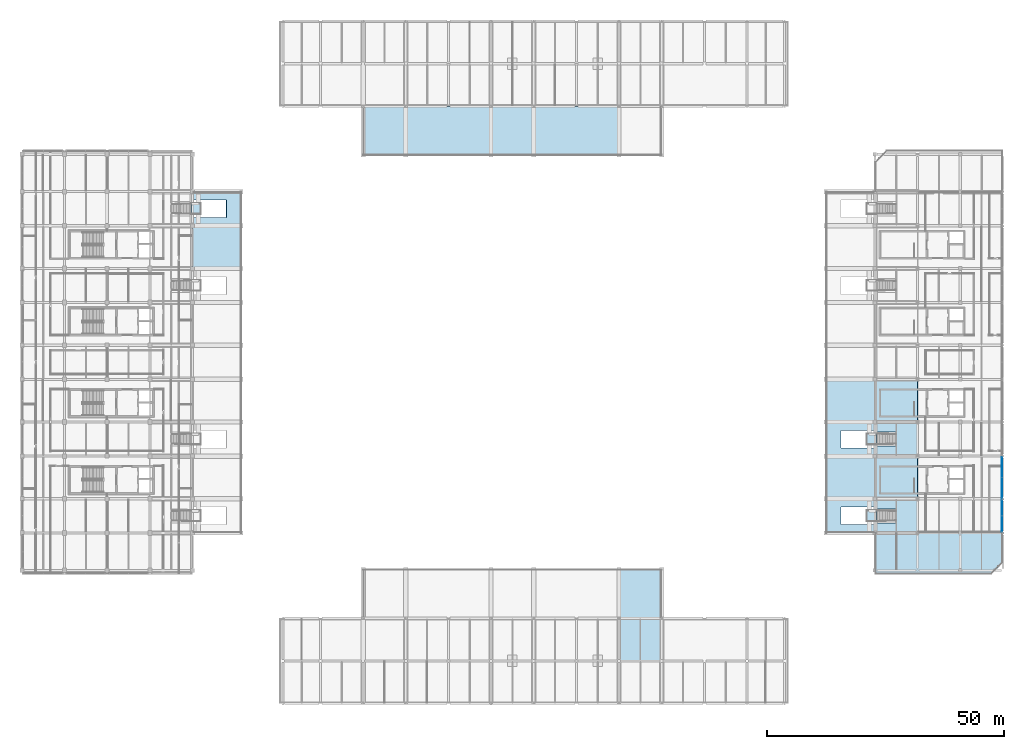
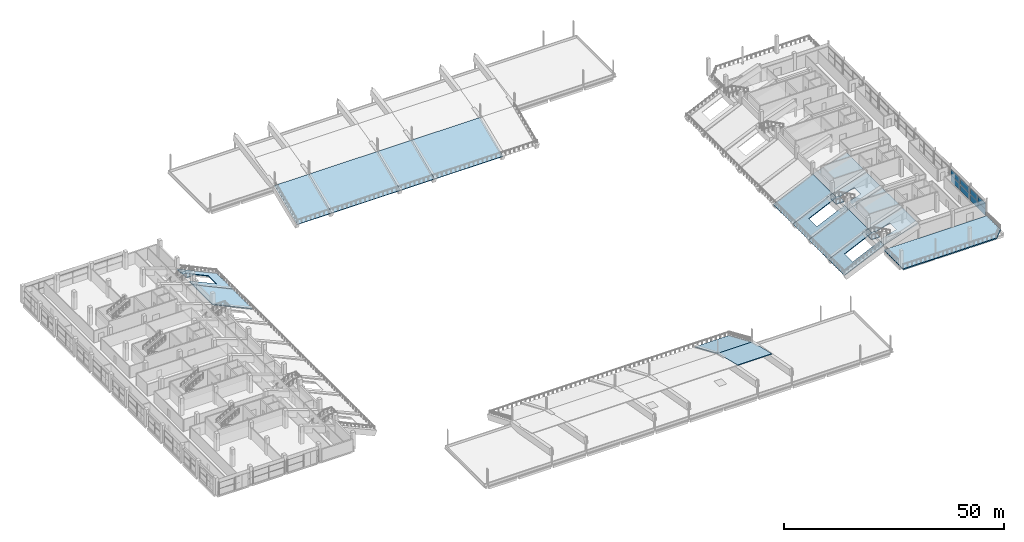
# One storey, part 43 of 66: 20 slabs, 8 plates, 2 elements without a shape of their own.
"""IFC4 building model written with IfcOpenShell, lengths in metres."""

from ifc_helpers import new_model, si_unit, direction, frame, origin, origin_2d, place, context, subcontext, project, spatial, polyline, rectangle, outline, extrude, material, layer, layer_set, type_object, element, aggregate, save


model = new_model("IFC4")

# Units and contexts
model_context = context("Model", 3, precision=1e-05, world=origin(), true_north=direction((0.0, 1.0)))
body_context = subcontext(model_context, "Body", "Model", "MODEL_VIEW")
ifc_project = project(units=[si_unit("LENGTHUNIT", "METRE"), si_unit("AREAUNIT", "SQUARE_METRE"), si_unit("VOLUMEUNIT", "CUBIC_METRE"), si_unit("PLANEANGLEUNIT", "RADIAN"), si_unit("MASSUNIT", "GRAM", prefix="KILO"), si_unit("THERMODYNAMICTEMPERATUREUNIT", "KELVIN"), si_unit("POWERUNIT", "WATT")], contexts=[model_context])

# Site, building, storey
site_placement = place(None, origin())
site = spatial("IfcSite", under=ifc_project, at=site_placement, CompositionType="ELEMENT")
building_placement = place(site_placement, origin())
building = spatial("IfcBuilding", under=site, at=building_placement, Name="Sindhuravela Promenade Stadium", CompositionType="ELEMENT")
storey_placement = place(building_placement, frame((0.0, 0.0, 19.199951171875)))
storey = spatial("IfcBuildingStorey", under=building, at=storey_placement, Name="L04", CompositionType="ELEMENT", Elevation=19.199951171875)

# Curtain wall, plates
ifc_material_1 = material(Name="Anodised architectural aluminium 6063-T6", Category="aluminium")
curtain_wall_type_1 = type_object("IfcCurtainWallType", Name="CW-MOD-1", PredefinedType="NOTDEFINED", material=ifc_material_1)
curtain_wall_1_placement = place(storey_placement, origin())
curtain_wall_1 = element("IfcCurtainWall", 1, at=curtain_wall_1_placement, inside=storey, type_object=curtain_wall_type_1, Name="Bronze curtain wall CW-EAST-L04-136", PredefinedType="NOTDEFINED")
ifc_material_2 = material(Name="Tempered laminated low-E glass", Category="glass")
ifc_layer_1 = layer(ifc_material_2, 0.028076171875)
ifc_layer_set_1 = layer_set([ifc_layer_1], Name="Tempered laminated low-E glass")
plate_type_1 = type_object("IfcPlateType", Name="CW-PNL-01", PredefinedType="CURTAIN_PANEL", material=ifc_layer_set_1)
plate_1_placement = place(storey_placement, frame((206.800048828125, 58.85009765625, 0.01513671875), z_axis=(0.0, 0.0, 1.0), x_axis=(0.0, -1.0, 0.0)))
plate_1 = element("IfcPlate", 2, at=plate_1_placement, type_object=plate_type_1, Name="Glazed curtain panel CW-EAST-L04-136-P1.1", PredefinedType="CURTAIN_PANEL", context=body_context, shape_type="SweptSolid", body=[
    extrude(rectangle(XDim=4.239990234375, YDim=0.028076171875, at=origin_2d()), origin(), (0.0, 0.0, 1.0), 1.760009765625),
])
plate_2_placement = place(storey_placement, frame((206.800048828125, 58.85009765625, 1.80517578125), z_axis=(0.0, 0.0, 1.0), x_axis=(0.0, -1.0, 0.0)))
plate_2 = element("IfcPlate", 3, at=plate_2_placement, type_object=plate_type_1, Name="Glazed curtain panel CW-EAST-L04-136-P1.2", PredefinedType="CURTAIN_PANEL", context=body_context, shape_type="SweptSolid", body=[
    extrude(rectangle(XDim=4.239990234375, YDim=0.028076171875, at=origin_2d()), origin(), (0.0, 0.0, 1.0), 1.679931640625),
])
plate_3_placement = place(storey_placement, frame((206.800048828125, 54.550048828125, 0.01513671875), z_axis=(0.0, 0.0, 1.0), x_axis=(0.0, -1.0, 0.0)))
plate_3 = element("IfcPlate", 4, at=plate_3_placement, type_object=plate_type_1, Name="Glazed curtain panel CW-EAST-L04-136-P2.1", PredefinedType="CURTAIN_PANEL", context=body_context, shape_type="SweptSolid", body=[
    extrude(rectangle(XDim=4.239990234375, YDim=0.028076171875, at=origin_2d()), origin(), (0.0, 0.0, 1.0), 1.760009765625),
])
plate_4_placement = place(storey_placement, frame((206.800048828125, 54.550048828125, 1.80517578125), z_axis=(0.0, 0.0, 1.0), x_axis=(0.0, -1.0, 0.0)))
plate_4 = element("IfcPlate", 5, at=plate_4_placement, type_object=plate_type_1, Name="Glazed curtain panel CW-EAST-L04-136-P2.2", PredefinedType="CURTAIN_PANEL", context=body_context, shape_type="SweptSolid", body=[
    extrude(rectangle(XDim=4.239990234375, YDim=0.028076171875, at=origin_2d()), origin(), (0.0, 0.0, 1.0), 1.679931640625),
])
aggregate(curtain_wall_1, [plate_1, plate_2, plate_3, plate_4])

curtain_wall_type_2 = type_object("IfcCurtainWallType", Name="CW-MOD-2", PredefinedType="NOTDEFINED", material=ifc_material_1)
curtain_wall_2_placement = place(storey_placement, origin())
curtain_wall_2 = element("IfcCurtainWall", 6, at=curtain_wall_2_placement, inside=storey, type_object=curtain_wall_type_2, Name="Bronze curtain wall CW-EAST-L04-137", PredefinedType="NOTDEFINED")
ifc_layer_2 = layer(ifc_material_2, 0.0400390625)
ifc_layer_set_2 = layer_set([ifc_layer_2], Name="Tempered laminated low-E glass")
plate_type_2 = type_object("IfcPlateType", Name="CW-PNL-02", PredefinedType="CURTAIN_PANEL", material=ifc_layer_set_2)
plate_5_placement = place(storey_placement, frame((206.800048828125, 50.311279296875, 0.01513671875), z_axis=(0.0, 0.0, 1.0), x_axis=(0.0, -1.0, 0.0)))
plate_5 = element("IfcPlate", 7, at=plate_5_placement, type_object=plate_type_2, Name="Glazed curtain panel CW-EAST-L04-137-P1.1", PredefinedType="CURTAIN_PANEL", context=body_context, shape_type="SweptSolid", body=[
    extrude(rectangle(XDim=3.31689453125, YDim=0.0400390625, at=origin_2d()), origin(), (0.0, 0.0, 1.0), 1.760009765625),
])
plate_6_placement = place(storey_placement, frame((206.800048828125, 50.311279296875, 1.80517578125), z_axis=(0.0, 0.0, 1.0), x_axis=(0.0, -1.0, 0.0)))
plate_6 = element("IfcPlate", 8, at=plate_6_placement, type_object=plate_type_2, Name="Glazed curtain panel CW-EAST-L04-137-P1.2", PredefinedType="CURTAIN_PANEL", context=body_context, shape_type="SweptSolid", body=[
    extrude(rectangle(XDim=3.31689453125, YDim=0.0400390625, at=origin_2d()), origin(), (0.0, 0.0, 1.0), 1.679931640625),
])
plate_7_placement = place(storey_placement, frame((206.800048828125, 46.933837890625, 0.01513671875), z_axis=(0.0, 0.0, 1.0), x_axis=(0.0, -1.0, 0.0)))
plate_7 = element("IfcPlate", 9, at=plate_7_placement, type_object=plate_type_2, Name="Glazed curtain panel CW-EAST-L04-137-P2.1", PredefinedType="CURTAIN_PANEL", context=body_context, shape_type="SweptSolid", body=[
    extrude(rectangle(XDim=3.31689453125, YDim=0.0400390625, at=origin_2d()), origin(), (0.0, 0.0, 1.0), 1.760009765625),
])
plate_8_placement = place(storey_placement, frame((206.800048828125, 46.933837890625, 1.80517578125), z_axis=(0.0, 0.0, 1.0), x_axis=(0.0, -1.0, 0.0)))
plate_8 = element("IfcPlate", 10, at=plate_8_placement, type_object=plate_type_2, Name="Glazed curtain panel CW-EAST-L04-137-P2.2", PredefinedType="CURTAIN_PANEL", context=body_context, shape_type="SweptSolid", body=[
    extrude(rectangle(XDim=3.31689453125, YDim=0.0400390625, at=origin_2d()), origin(), (0.0, 0.0, 1.0), 1.679931640625),
])
aggregate(curtain_wall_2, [plate_5, plate_6, plate_7, plate_8])

# Slabs
ifc_material_3 = material(Name="Concrete M40", Category="concrete")
ifc_layer_3 = layer(ifc_material_3, 0.25)
ifc_layer_set_3 = layer_set([ifc_layer_3], Name="Concrete M40")
slab_type_1 = type_object("IfcSlabType", Name="SL-FLR-250", PredefinedType="FLOOR", material=ifc_layer_set_3)
slab_1_placement = place(storey_placement, frame((0.0, 0.0, 1.85009765625)))
element("IfcSlab", 11, at=slab_1_placement, inside=storey, type_object=slab_type_1, Name="Vomitory VS15 tier landing slab", PredefinedType="FLOOR", context=body_context, shape_type="SweptSolid", body=[
    extrude(outline(polyline([(180.320556640625, 66.010009765625), (178.169921875, 66.010009765625), (178.169921875, 63.590087890625), (180.320556640625, 63.590087890625), (180.320556640625, 66.010009765625)])), origin(), (0.0, 0.0, 1.0), 0.25),
])
slab_2_placement = place(storey_placement, frame((0.0, 0.0, 1.85009765625)))
element("IfcSlab", 12, at=slab_2_placement, inside=storey, type_object=slab_type_1, Name="Vomitory CS02 tier landing slab", PredefinedType="FLOOR", context=body_context, shape_type="SweptSolid", body=[
    extrude(outline(polyline([(35.679443359375, 112.22998046875), (37.830078125, 112.22998046875), (37.830078125, 114.570068359375), (35.679443359375, 114.570068359375), (35.679443359375, 112.22998046875)])), origin(), (0.0, 0.0, 1.0), 0.25),
])
slab_3_placement = place(storey_placement, frame((0.0, 0.0, 1.85009765625)))
element("IfcSlab", 13, at=slab_3_placement, inside=storey, type_object=slab_type_1, Name="Vomitory CS03 tier landing slab", PredefinedType="FLOOR", context=body_context, shape_type="SweptSolid", body=[
    extrude(outline(polyline([(180.320556640625, 49.81005859375), (178.169921875, 49.81005859375), (178.169921875, 47.389892578125), (180.320556640625, 47.389892578125), (180.320556640625, 49.81005859375)])), origin(), (0.0, 0.0, 1.0), 0.25),
])
ifc_layer_4 = layer(ifc_material_3, 0.31005859375)
ifc_layer_set_4 = layer_set([ifc_layer_4], Name="Concrete M40")
slab_type_2 = type_object("IfcSlabType", Name="SL-TER-310", PredefinedType="FLOOR", material=ifc_layer_set_4)
slab_4_placement = place(storey_placement, frame((0.0, 0.0, -0.31005859375)))
element("IfcSlab", 14, at=slab_4_placement, inside=storey, type_object=slab_type_2, Name="East Upper South Planted Roof Garden", PredefinedType="FLOOR", context=body_context, shape_type="SweptSolid", body=[
    extrude(outline(polyline([(180.0, 36.25), (204.550048828125, 36.25), (207.0, 38.699951171875), (207.0, 45.0), (180.0, 45.0), (180.0, 36.25)])), origin(), (0.0, 0.0, 1.0), 0.31005859375),
])
ifc_material_4 = material(Name="Precast concrete M50", Category="concrete")
ifc_layer_5 = layer(ifc_material_4, 0.159912109375)
ifc_layer_set_5 = layer_set([ifc_layer_5], Name="Precast concrete M50")
slab_type_3 = type_object("IfcSlabType", Name="SL-TR2-160", PredefinedType="USERDEFINED", material=ifc_layer_set_5)
slab_5_placement = place(storey_placement, frame((180.0, 52.199951171875, 1.449951171875), z_axis=(-0.2873669552676956, 0.0, 0.9578205641038275), x_axis=(0.0, -1.0, 0.0)))
element("IfcSlab", 15, at=slab_5_placement, inside=storey, type_object=slab_type_3, Name="Stand upper tier East rear bay 35", ObjectType="SEATING TIER", PredefinedType="USERDEFINED", context=body_context, shape_type="SweptSolid", body=[
    extrude(outline(polyline([(0.0, 0.0), (2.119873046875, 0.0), (2.119873046875, 4.698165991257838), (5.079833984375, 4.698165991257838), (5.079833984375, 0.0), (7.199951171875, 0.0), (7.199951171875, 9.396331982515676), (0.0, 9.396331982515676), (0.0, 0.0)])), origin(), (0.0, 0.0, -1.0), 0.159912109375),
])
slab_6_placement = place(storey_placement, frame((180.0, 61.199951171875, 1.449951171875), z_axis=(-0.2873669552676956, 0.0, 0.9578205641038274), x_axis=(0.0, -1.0, 0.0)))
element("IfcSlab", 16, at=slab_6_placement, inside=storey, type_object=slab_type_3, Name="Stand upper tier East rear bay 36", ObjectType="SEATING TIER", PredefinedType="USERDEFINED", context=body_context, shape_type="SweptSolid", body=[
    extrude(outline(polyline([(0.0, 0.0), (9.0, 0.0), (9.0, 9.396331982515676), (0.0, 9.396331982515676), (0.0, 0.0)])), origin(), (0.0, 0.0, -1.0), 0.159912109375),
])
slab_7_placement = place(storey_placement, frame((180.0, 68.39990234375, 1.449951171875), z_axis=(-0.2873669552676956, 0.0, 0.9578205641038275), x_axis=(0.0, -1.0, 0.0)))
element("IfcSlab", 17, at=slab_7_placement, inside=storey, type_object=slab_type_3, Name="Stand upper tier East rear bay 37", ObjectType="SEATING TIER", PredefinedType="USERDEFINED", context=body_context, shape_type="SweptSolid", body=[
    extrude(outline(polyline([(0.0, 0.0), (2.119873046875, 0.0), (2.119873046875, 4.698165991257838), (5.079833984375, 4.698165991257838), (5.079833984375, 0.0), (7.199951171875, 0.0), (7.199951171875, 9.396331982515676), (0.0, 9.396331982515676), (0.0, 0.0)])), origin(), (0.0, 0.0, -1.0), 0.159912109375),
])
slab_8_placement = place(storey_placement, frame((180.0, 77.39990234375, 1.449951171875), z_axis=(-0.2873669552676956, 0.0, 0.9578205641038274), x_axis=(0.0, -1.0, 0.0)))
element("IfcSlab", 18, at=slab_8_placement, inside=storey, type_object=slab_type_3, Name="Stand upper tier East rear bay 38", ObjectType="SEATING TIER", PredefinedType="USERDEFINED", context=body_context, shape_type="SweptSolid", body=[
    extrude(outline(polyline([(0.0, 0.0), (9.0, 0.0), (9.0, 9.396331982515676), (0.0, 9.396331982515676), (0.0, 0.0)])), origin(), (0.0, 0.0, -1.0), 0.159912109375),
])
slab_9_placement = place(storey_placement, frame((135.0, 27.0, 1.10009765625), z_axis=(0.0, 0.23744811744425076, 0.9714002221135124), x_axis=(-1.0, 0.0, 0.0)))
element("IfcSlab", 19, at=slab_9_placement, inside=storey, type_object=slab_type_3, Name="Stand upper tier South rear bay 48", ObjectType="SEATING TIER", PredefinedType="USERDEFINED", context=body_context, shape_type="SweptSolid", body=[
    extrude(outline(polyline([(0.0, 0.0), (9.0, 0.0), (9.0, 9.264976263252603), (0.0, 9.264976263252603), (0.0, 0.0)])), origin(), (0.0, 0.0, -1.0), 0.159912109375),
])
ifc_layer_6 = layer(ifc_material_4, 0.199951171875)
ifc_layer_set_6 = layer_set([ifc_layer_6], Name="Precast concrete M50")
slab_type_4 = type_object("IfcSlabType", Name="SL-TR2-200", PredefinedType="USERDEFINED", material=ifc_layer_set_6)
slab_10_placement = place(storey_placement, frame((169.60009765625, 52.199951171875, -3.39990234375), z_axis=(-0.4226359043102465, 0.0, 0.9062995599623009), x_axis=(0.0, -1.0, 0.0)))
element("IfcSlab", 20, at=slab_10_placement, inside=storey, type_object=slab_type_4, Name="Stand upper tier East cantilever bay 35", ObjectType="SEATING TIER", PredefinedType="USERDEFINED", context=body_context, shape_type="SweptSolid", body=[
    extrude(outline(polyline([(0.0, 0.0), (7.199951171875, 0.0), (7.199951171875, 11.475149144139928), (5.449951171875, 11.475149144139928), (5.449951171875, 3.5307663524341075), (1.75, 3.5307663524341075), (1.75, 11.475149144139928), (0.0, 11.475149144139928), (0.0, 0.0)])), origin(), (0.0, 0.0, -1.0), 0.199951171875),
])
slab_11_placement = place(storey_placement, frame((169.60009765625, 61.199951171875, -3.39990234375), z_axis=(-0.42263969336375157, 0.0, 0.9062977929981922), x_axis=(0.0, -1.0, 0.0)))
element("IfcSlab", 21, at=slab_11_placement, inside=storey, type_object=slab_type_4, Name="Stand upper tier East cantilever bay 36", ObjectType="SEATING TIER", PredefinedType="USERDEFINED", context=body_context, shape_type="SweptSolid", body=[
    extrude(outline(polyline([(0.0, 0.0), (9.0, 0.0), (9.0, 11.475149144240213), (0.0, 11.475149144240213), (0.0, 0.0)])), origin(), (0.0, 0.0, -1.0), 0.199951171875),
])
slab_12_placement = place(storey_placement, frame((169.60009765625, 68.39990234375, -3.39990234375), z_axis=(-0.4226359043102465, 0.0, 0.9062995599623009), x_axis=(0.0, -1.0, 0.0)))
element("IfcSlab", 22, at=slab_12_placement, inside=storey, type_object=slab_type_4, Name="Stand upper tier East cantilever bay 37", ObjectType="SEATING TIER", PredefinedType="USERDEFINED", context=body_context, shape_type="SweptSolid", body=[
    extrude(outline(polyline([(0.0, 0.0), (7.199951171875, 0.0), (7.199951171875, 11.475149144139928), (5.449951171875, 11.475149144139928), (5.449951171875, 3.5307663524341075), (1.75, 3.5307663524341075), (1.75, 11.475149144139928), (0.0, 11.475149144139928), (0.0, 0.0)])), origin(), (0.0, 0.0, -1.0), 0.199951171875),
])
for number, where, z_axis, x_axis, name in (
    (23, (169.60009765625, 77.39990234375, -3.39990234375), (-0.42263969336375157, 0.0, 0.9062977929981922), (0.0, -1.0, 0.0), "Stand upper tier East cantilever bay 38"),
    (24, (46.39990234375, 100.800048828125, -3.39990234375), (0.42263969336375157, 0.0, 0.9062977929981922), (0.0, 1.0, 0.0), "Stand upper tier West cantilever bay 42"),
):
    element("IfcSlab", number, at=place(storey_placement, frame(where, z_axis=z_axis, x_axis=x_axis)), inside=storey, type_object=slab_type_4, Name=name, ObjectType="SEATING TIER", PredefinedType="USERDEFINED", context=body_context, shape_type="SweptSolid", body=[
        extrude(outline(polyline([(0.0, 0.0), (9.0, 0.0), (9.0, 11.475149144240213), (0.0, 11.475149144240213), (0.0, 0.0)])), origin(), (0.0, 0.0, -1.0), 0.199951171875),
    ])
slab_13_placement = place(storey_placement, frame((46.39990234375, 109.800048828125, -3.39990234375), z_axis=(0.4226359043102465, 0.0, 0.9062995599623009), x_axis=(0.0, 1.0, 0.0)))
element("IfcSlab", 25, at=slab_13_placement, inside=storey, type_object=slab_type_4, Name="Stand upper tier West cantilever bay 43", ObjectType="SEATING TIER", PredefinedType="USERDEFINED", context=body_context, shape_type="SweptSolid", body=[
    extrude(outline(polyline([(0.0, 0.0), (7.199951171875, 0.0), (7.199951171875, 11.475149144139928), (5.449951171875, 11.475149144139928), (5.449951171875, 3.5307663524341075), (1.75, 3.5307663524341075), (1.75, 11.475149144139928), (0.0, 11.475149144139928), (0.0, 0.0)])), origin(), (0.0, 0.0, -1.0), 0.199951171875),
])
slab_14_placement = place(storey_placement, frame((72.0, 124.60009765625, -3.39990234375), z_axis=(0.0, -0.3971152139711803, 0.9177687654483692), x_axis=(1.0, 0.0, 0.0)))
element("IfcSlab", 26, at=slab_14_placement, inside=storey, type_object=slab_type_4, Name="Stand upper tier North cantilever bay 44", ObjectType="SEATING TIER", PredefinedType="USERDEFINED", context=body_context, shape_type="SweptSolid", body=[
    extrude(outline(polyline([(0.0, 0.0), (9.0, 0.0), (9.0, 11.331723997677349), (0.0, 11.331723997677349), (0.0, 0.0)])), origin(), (0.0, 0.0, -1.0), 0.199951171875),
])
slab_15_placement = place(storey_placement, frame((81.0, 124.60009765625, -3.39990234375), z_axis=(0.0, -0.3971152139711803, 0.9177687654483692), x_axis=(1.0, 0.0, 0.0)))
element("IfcSlab", 27, at=slab_15_placement, inside=storey, type_object=slab_type_4, Name="Stand upper tier North cantilever bay 45", ObjectType="SEATING TIER", PredefinedType="USERDEFINED", context=body_context, shape_type="SweptSolid", body=[
    extrude(outline(polyline([(0.0, 0.0), (18.0, 0.0), (18.0, 11.331723997677349), (0.0, 11.331723997677349), (0.0, 0.0)])), origin(), (0.0, 0.0, -1.0), 0.199951171875),
])
slab_16_placement = place(storey_placement, frame((99.0, 124.60009765625, -3.39990234375), z_axis=(0.0, -0.3971152139711803, 0.9177687654483692), x_axis=(1.0, 0.0, 0.0)))
element("IfcSlab", 28, at=slab_16_placement, inside=storey, type_object=slab_type_4, Name="Stand upper tier North cantilever bay 46", ObjectType="SEATING TIER", PredefinedType="USERDEFINED", context=body_context, shape_type="SweptSolid", body=[
    extrude(outline(polyline([(0.0, 0.0), (9.0, 0.0), (9.0, 11.331723997677349), (0.0, 11.331723997677349), (0.0, 0.0)])), origin(), (0.0, 0.0, -1.0), 0.199951171875),
])
slab_17_placement = place(storey_placement, frame((108.0, 124.60009765625, -3.39990234375), z_axis=(0.0, -0.3971152139711803, 0.9177687654483692), x_axis=(1.0, 0.0, 0.0)))
element("IfcSlab", 29, at=slab_17_placement, inside=storey, type_object=slab_type_4, Name="Stand upper tier North cantilever bay 47", ObjectType="SEATING TIER", PredefinedType="USERDEFINED", context=body_context, shape_type="SweptSolid", body=[
    extrude(outline(polyline([(0.0, 0.0), (18.0, 0.0), (18.0, 11.331723997677349), (0.0, 11.331723997677349), (0.0, 0.0)])), origin(), (0.0, 0.0, -1.0), 0.199951171875),
])
slab_18_placement = place(storey_placement, frame((135.0, 37.39990234375, -3.39990234375), z_axis=(0.0, 0.3971152139711803, 0.9177687654483692), x_axis=(-1.0, 0.0, 0.0)))
element("IfcSlab", 30, at=slab_18_placement, inside=storey, type_object=slab_type_4, Name="Stand upper tier South cantilever bay 48", ObjectType="SEATING TIER", PredefinedType="USERDEFINED", context=body_context, shape_type="SweptSolid", body=[
    extrude(outline(polyline([(0.0, 0.0), (9.0, 0.0), (9.0, 11.331723997677349), (0.0, 11.331723997677349), (0.0, 0.0)])), origin(), (0.0, 0.0, -1.0), 0.199951171875),
])

save(model, "model.ifc")
